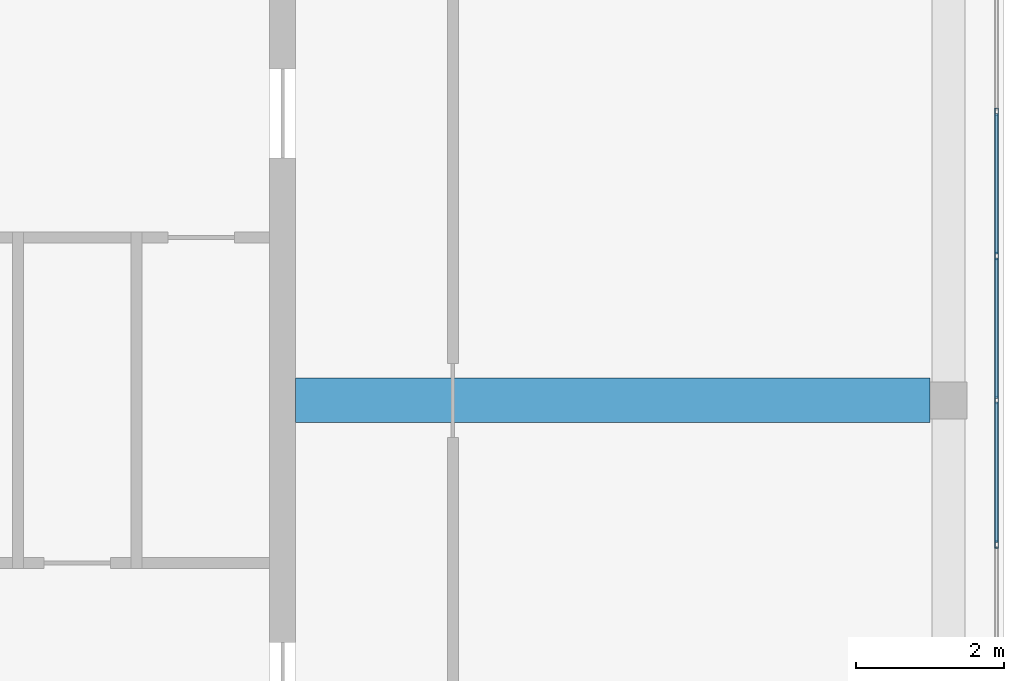
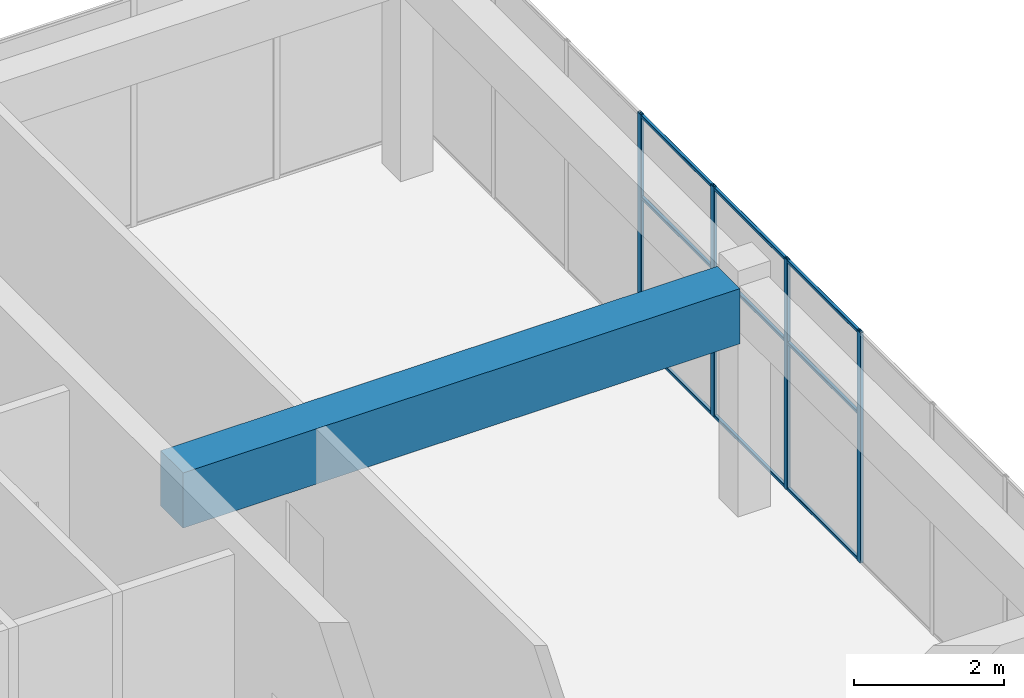
# One storey, part 17 of 34: 13 members, 1 beam, 1 element without a shape of its own.
"""IFC4 building model written with IfcOpenShell, lengths in metres."""

import ifcopenshell
import ifcopenshell.guid

model = None  # the IFC model being written
_history = None  # IfcOwnerHistory: only IFC2X3 demands one
_inside = {}  # id of a spatial element -> (the spatial element, [elements in it])
_under = {}  # id of a project, library or spatial element -> (it, [spatial elements below it])
_declared = {}  # id of a project -> (the project, [libraries it declares])
_typed = {}  # id of a type object -> (the type object, [elements of that type])
_made_of = {}  # id of a material, layer set ... -> (it, [elements and type objects made of it])


def new_model(schema):
    """Start an empty IFC model of exactly this schema.

    Asked for "IFC4X3", IfcOpenShell would pick the latest addendum, in which some entities
    have other attributes; the version numbers below select the first issue.
    IFC2X3 requires an IfcOwnerHistory on every rooted entity: one is made here for all.
    """
    global model, _history
    if schema == "IFC4X3":
        model = ifcopenshell.file(schema_version=(4, 3, 0, 0))
    else:
        model = ifcopenshell.file(schema=schema)
    _inside.clear()
    _under.clear()
    _declared.clear()
    _typed.clear()
    _made_of.clear()
    _history = None
    if model.schema == "IFC2X3":
        org = make("IfcOrganization", Name="unknown")
        user = make(
            "IfcPersonAndOrganization",
            ThePerson=make("IfcPerson", FamilyName="unknown"),
            TheOrganization=org,
        )
        app = make(
            "IfcApplication",
            ApplicationDeveloper=org,
            Version="unknown",
            ApplicationFullName="unknown",
            ApplicationIdentifier="unknown",
        )
        _history = make(
            "IfcOwnerHistory",
            OwningUser=user,
            OwningApplication=app,
            ChangeAction="ADDED",
            CreationDate=0,
        )
    return model


def make(cls, **values):
    """One entity of the class cls with the attributes given. An attribute that is None is left unset."""
    return model.create_entity(
        cls, **{name: value for name, value in values.items() if value is not None}
    )


def rooted(cls, **values):
    """An entity with a GlobalId (a new one), such as an element, a storey or a relation."""
    return make(cls, GlobalId=ifcopenshell.guid.new(), OwnerHistory=_history, **values)


def si_unit(unit_type, name, prefix=None):
    """IfcSIUnit, for example si_unit("LENGTHUNIT", "METRE", prefix="MILLI")."""
    return make("IfcSIUnit", UnitType=unit_type, Prefix=prefix, Name=name)


def assignment(units):
    """IfcUnitAssignment: the units of a project."""
    return None if units is None else make("IfcUnitAssignment", Units=units)


def point(xyz):
    """IfcCartesianPoint."""
    return None if xyz is None else make("IfcCartesianPoint", Coordinates=xyz)


def direction(xyz):
    """IfcDirection."""
    return None if xyz is None else make("IfcDirection", DirectionRatios=xyz)


def frame(location, z_axis=None, x_axis=None):
    """IfcAxis2Placement3D, a coordinate frame: its origin and axes. An axis left out is left unset."""
    return make(
        "IfcAxis2Placement3D",
        Location=point(location),
        Axis=direction(z_axis),
        RefDirection=direction(x_axis),
    )


def frame_2d(location, x_axis=None):
    """IfcAxis2Placement2D, a coordinate frame in the plane: its origin and x axis."""
    return make(
        "IfcAxis2Placement2D", Location=point(location), RefDirection=direction(x_axis)
    )


def origin():
    """The frame at (0, 0, 0) with its axes left unset."""
    return frame((0.0, 0.0, 0.0))


def origin_2d():
    """The frame at (0, 0) in the plane with its x axis left unset."""
    return frame_2d((0.0, 0.0))


def place(relative_to, where):
    """IfcLocalPlacement: puts the frame where relative to a parent placement (None: the world)."""
    return make(
        "IfcLocalPlacement", PlacementRelTo=relative_to, RelativePlacement=where
    )


def context(
    kind, dimensions, precision=None, world=None, true_north=None, identifier=None
):
    """IfcGeometricRepresentationContext, for example the 3D "Model" context."""
    return make(
        "IfcGeometricRepresentationContext",
        ContextIdentifier=identifier,
        ContextType=kind,
        CoordinateSpaceDimension=dimensions,
        Precision=precision,
        WorldCoordinateSystem=world,
        TrueNorth=true_north,
    )


def subcontext(parent, identifier, kind, view, scale=None):
    """IfcGeometricRepresentationSubContext, for example "Body" below "Model"."""
    return make(
        "IfcGeometricRepresentationSubContext",
        ContextIdentifier=identifier,
        ContextType=kind,
        ParentContext=parent,
        TargetScale=scale,
        TargetView=view,
    )


def project(units=None, contexts=None):
    """IfcProject with its units and contexts."""
    return rooted(
        "IfcProject",
        Name="project",
        RepresentationContexts=contexts,
        UnitsInContext=assignment(units),
    )


def spatial(cls, under=None, at=None, **own):
    """A site, building, storey or space (cls), placed at a placement, below another one or the project."""
    s = rooted(cls, ObjectPlacement=at, **own)
    if under is not None:
        _under.setdefault(under.id(), (under, []))[1].append(s)
    return s


def profile(cls, at=None, kind="AREA", **sizes):
    """A parametric profile (cls). Its sizes go by their IFC names, for example OverallWidth=200.0."""
    return make(cls, ProfileType=kind, Position=at, **sizes)


def rectangle(**sizes):
    """IfcRectangleProfileDef."""
    return profile("IfcRectangleProfileDef", **sizes)


def hollow_rectangle(**sizes):
    """IfcRectangleHollowProfileDef."""
    return profile("IfcRectangleHollowProfileDef", **sizes)


def extrude(swept, where, along, depth):
    """IfcExtrudedAreaSolid: the profile swept, set in the frame where, extruded along a direction by depth."""
    return make(
        "IfcExtrudedAreaSolid",
        SweptArea=swept,
        Position=where,
        ExtrudedDirection=direction(along),
        Depth=depth,
    )


def shape(context_of_items, identifier, shape_type, items):
    """IfcShapeRepresentation: the items that make up one representation, for example the "Body"."""
    return make(
        "IfcShapeRepresentation",
        ContextOfItems=context_of_items,
        RepresentationIdentifier=identifier,
        RepresentationType=shape_type,
        Items=items,
    )


def material(Name=None, Category=None):
    """IfcMaterial."""
    return make("IfcMaterial", Name=Name, Category=Category)


def layer(
    of_material, thickness, ventilated=None, Name=None, Category=None, Priority=None
):
    """IfcMaterialLayer: one layer of a wall or slab, of a material (None: an air gap)."""
    return make(
        "IfcMaterialLayer",
        Material=of_material,
        LayerThickness=thickness,
        IsVentilated=ventilated,
        Name=Name,
        Category=Category,
        Priority=Priority,
    )


def layer_set(layers, Name=None):
    """IfcMaterialLayerSet."""
    return make("IfcMaterialLayerSet", MaterialLayers=layers, LayerSetName=Name)


def material_profile(
    of_material, cross_section, Name=None, Category=None, Priority=None
):
    """IfcMaterialProfile: a cross section and its material."""
    return make(
        "IfcMaterialProfile",
        Name=Name,
        Material=of_material,
        Profile=cross_section,
        Priority=Priority,
        Category=Category,
    )


def profile_set(profiles, Name=None, composite=None):
    """IfcMaterialProfileSet."""
    return make(
        "IfcMaterialProfileSet",
        Name=Name,
        MaterialProfiles=profiles,
        CompositeProfile=composite,
    )


def made_of(thing, what):
    """Note that an element or type object is made of a material, layer set ...; save() writes the relation."""
    if what is not None:
        _made_of.setdefault(what.id(), (what, []))[1].append(thing)
    return thing


def type_object(cls, material=None, **own):
    """A type object (cls), such as IfcWallType, which elements share."""
    return made_of(rooted(cls, **own), material)


def element(
    cls,
    number,
    at=None,
    inside=None,
    cuts=None,
    type_object=None,
    material=None,
    context=None,
    identifier="Body",
    shape_type=None,
    held_by="IfcProductDefinitionShape",
    body=None,
    shapes=None,
    **own,
):
    """One element of the class cls, such as IfcWall. Its Tag is "e" and its number.

    at: its placement. inside: the storey or other place that contains it. cuts: it is an
    opening in that element (IfcRelVoidsElement). A single representation is given by context,
    identifier, shape_type and body (its items); several are given by shapes. held_by: the class
    of the entity that holds the representations. save() writes the other relations.
    """
    e = rooted(cls, Tag="e%d" % number, ObjectPlacement=at, **own)
    if body is not None:
        shapes = [shape(context, identifier, shape_type, body)]
    if shapes is not None:
        e.Representation = make(held_by, Representations=shapes)
    if inside is not None:
        _inside.setdefault(inside.id(), (inside, []))[1].append(e)
    if cuts is not None:
        rooted(
            "IfcRelVoidsElement", RelatingBuildingElement=cuts, RelatedOpeningElement=e
        )
    if type_object is not None:
        _typed.setdefault(type_object.id(), (type_object, []))[1].append(e)
    return made_of(e, material)


def aggregate(whole, parts):
    """IfcRelAggregates: a whole, such as a stair, and the parts it consists of."""
    return rooted("IfcRelAggregates", RelatingObject=whole, RelatedObjects=parts)


def save(model, path):
    """Write the relations noted so far, then the file.

    IfcRelAggregates (storeys below a building ...), IfcRelContainedInSpatialStructure (elements
    in a storey), IfcRelDefinesByType, IfcRelAssociatesMaterial and IfcRelDeclares: one each for
    every whole, place, type object, material and project.
    """
    for whole, parts in _under.values():
        aggregate(whole, parts)
    for where, things in _inside.values():
        rooted(
            "IfcRelContainedInSpatialStructure",
            RelatedElements=things,
            RelatingStructure=where,
        )
    for kind, things in _typed.values():
        rooted("IfcRelDefinesByType", RelatedObjects=things, RelatingType=kind)
    for what, things in _made_of.values():
        rooted("IfcRelAssociatesMaterial", RelatedObjects=things, RelatingMaterial=what)
    for by, libraries in _declared.values():
        rooted("IfcRelDeclares", RelatingContext=by, RelatedDefinitions=libraries)
    model.write(path)


model = new_model("IFC4")

# Units and contexts
model_context = context("Model", 3, precision=1e-05, world=origin(), true_north=direction((0.0, 1.0)))
body_context = subcontext(model_context, "Body", "Model", "MODEL_VIEW")
ifc_project = project(units=[si_unit("LENGTHUNIT", "METRE"), si_unit("AREAUNIT", "SQUARE_METRE"), si_unit("VOLUMEUNIT", "CUBIC_METRE"), si_unit("PLANEANGLEUNIT", "RADIAN"), si_unit("MASSUNIT", "GRAM", prefix="KILO")], contexts=[model_context])

# Site, building, storey
site_placement = place(None, origin())
site = spatial("IfcSite", under=ifc_project, at=site_placement, CompositionType="ELEMENT")
building_placement = place(site_placement, origin())
building = spatial("IfcBuilding", under=site, at=building_placement, Name="Tuart Plaza Theatre", CompositionType="ELEMENT")
storey_placement = place(building_placement, frame((0.0, 0.0, 57.5)))
storey = spatial("IfcBuildingStorey", under=building, at=storey_placement, Name="L14", CompositionType="ELEMENT", Elevation=57.5)

# Beam
ifc_material_1 = material(Name="Concrete N40 (40 MPa)", Category="concrete")
ifc_material_profile_1 = material_profile(ifc_material_1, rectangle(XDim=0.60009765625, YDim=0.89990234375, at=origin_2d()), Name="BEAM 600x900 Concrete N40 (40 MPa)")
ifc_profile_set_1 = profile_set([ifc_material_profile_1], Name="Concrete N40 (40 MPa)")
beam_type = type_object("IfcBeamType", Name="BEAM 600x900 Concrete N40 (40 MPa)", PredefinedType="BEAM", material=ifc_profile_set_1)
beam_placement = place(storey_placement, frame((141.175048828125, 74.0, 3.300048828125), z_axis=(1.0, 0.0, 0.0), x_axis=(0.0, 1.0, 0.0)))
element("IfcBeam", 1, at=beam_placement, inside=storey, type_object=beam_type, Name="RB343", PredefinedType="BEAM", context=body_context, shape_type="SweptSolid", body=[
    extrude(rectangle(XDim=0.60009765625, YDim=0.89990234375, at=origin_2d()), origin(), (0.0, 0.0, 1.0), 8.574951171875),
])

# Curtain wall, members
ifc_material_2 = material(Name="Aluminium and glass", Category="aluminium")
ifc_layer = layer(ifc_material_2, 0.10009765625)
ifc_layer_set = layer_set([ifc_layer], Name="CURTAIN WALL 2000 module")
curtain_wall_type = type_object("IfcCurtainWallType", Name="CURTAIN WALL 2000 module", PredefinedType="NOTDEFINED", material=ifc_layer_set)
curtain_wall_placement = place(storey_placement, origin())
curtain_wall = element("IfcCurtainWall", 2, at=curtain_wall_placement, inside=storey, type_object=curtain_wall_type, Name="CW114", PredefinedType="NOTDEFINED")
ifc_material_3 = material(Name="Aluminium 6063-T5", Category="aluminium")
ifc_material_profile_2 = material_profile(ifc_material_3, hollow_rectangle(XDim=0.050048828125, YDim=0.10009765625, WallThickness=0.00390625, InnerFilletRadius=0.00390625, OuterFilletRadius=0.008056640625, at=origin_2d()), Name="RHS 100x50x4")
ifc_profile_set_2 = profile_set([ifc_material_profile_2], Name="Aluminium 6063-T5")
member_type_1 = type_object("IfcMemberType", Name="MULLION RHS 100x50x4", PredefinedType="MULLION", material=ifc_profile_set_2)
member_1_placement = place(storey_placement, frame((150.64990234375, 72.050048828125, 0.0), z_axis=(0.0, 0.0, 1.0), x_axis=(-1.0, 0.0, 0.0)))
member_1 = element("IfcMember", 3, at=member_1_placement, type_object=member_type_1, Name="CW114 mullion 5", PredefinedType="MULLION", context=body_context, shape_type="SweptSolid", body=[
    extrude(hollow_rectangle(XDim=0.050048828125, YDim=0.10009765625, WallThickness=0.00390625, InnerFilletRadius=0.00390625, OuterFilletRadius=0.008056640625, at=origin_2d()), origin(), (0.0, 0.0, 1.0), 3.75),
])
member_2_placement = place(storey_placement, frame((150.64990234375, 74.0, 0.0), z_axis=(0.0, 0.0, 1.0), x_axis=(-1.0, 0.0, 0.0)))
member_2 = element("IfcMember", 4, at=member_2_placement, type_object=member_type_1, Name="CW114 mullion 6", PredefinedType="MULLION", context=body_context, shape_type="SweptSolid", body=[
    extrude(hollow_rectangle(XDim=0.050048828125, YDim=0.10009765625, WallThickness=0.00390625, InnerFilletRadius=0.00390625, OuterFilletRadius=0.008056640625, at=origin_2d()), origin(), (0.0, 0.0, 1.0), 3.75),
])
member_3_placement = place(storey_placement, frame((150.64990234375, 75.949951171875, 0.0), z_axis=(0.0, 0.0, 1.0), x_axis=(-1.0, 0.0, 0.0)))
member_3 = element("IfcMember", 5, at=member_3_placement, type_object=member_type_1, Name="CW114 mullion 7", PredefinedType="MULLION", context=body_context, shape_type="SweptSolid", body=[
    extrude(hollow_rectangle(XDim=0.050048828125, YDim=0.10009765625, WallThickness=0.00390625, InnerFilletRadius=0.00390625, OuterFilletRadius=0.008056640625, at=origin_2d()), origin(), (0.0, 0.0, 1.0), 3.75),
])
member_4_placement = place(storey_placement, frame((150.64990234375, 77.89990234375, 0.0), z_axis=(0.0, 0.0, 1.0), x_axis=(-1.0, 0.0, 0.0)))
member_4 = element("IfcMember", 6, at=member_4_placement, type_object=member_type_1, Name="CW114 mullion 8", PredefinedType="MULLION", context=body_context, shape_type="SweptSolid", body=[
    extrude(hollow_rectangle(XDim=0.050048828125, YDim=0.10009765625, WallThickness=0.00390625, InnerFilletRadius=0.00390625, OuterFilletRadius=0.008056640625, at=origin_2d()), origin(), (0.0, 0.0, 1.0), 3.75),
])
ifc_material_4 = material(Name="Aluminium 6063-T5", Category="aluminium")
ifc_material_profile_3 = material_profile(ifc_material_4, hollow_rectangle(XDim=0.050048828125, YDim=0.050048828125, WallThickness=0.00390625, InnerFilletRadius=0.00390625, OuterFilletRadius=0.008056640625, at=origin_2d()), Name="RHS 50x50x4")
ifc_profile_set_3 = profile_set([ifc_material_profile_3], Name="Aluminium 6063-T5")
member_type_2 = type_object("IfcMemberType", Name="TRANSOM RHS 50x50x4", PredefinedType="USERDEFINED", material=ifc_profile_set_3)
member_5_placement = place(storey_placement, frame((150.64990234375, 72.074951171875, 0.02490234375), z_axis=(0.0, 1.0, 0.0), x_axis=(-1.0, 0.0, 0.0)))
member_5 = element("IfcMember", 7, at=member_5_placement, type_object=member_type_2, Name="CW114 transom 5.1", ObjectType="TRANSOM", PredefinedType="USERDEFINED", context=body_context, shape_type="SweptSolid", body=[
    extrude(hollow_rectangle(XDim=0.050048828125, YDim=0.050048828125, WallThickness=0.00390625, InnerFilletRadius=0.00390625, OuterFilletRadius=0.008056640625, at=origin_2d()), origin(), (0.0, 0.0, 1.0), 1.900146484375),
])
member_6_placement = place(storey_placement, frame((150.64990234375, 72.074951171875, 2.39990234375), z_axis=(0.0, 1.0, 0.0), x_axis=(-1.0, 0.0, 0.0)))
member_6 = element("IfcMember", 8, at=member_6_placement, type_object=member_type_2, Name="CW114 transom 5.2", ObjectType="TRANSOM", PredefinedType="USERDEFINED", context=body_context, shape_type="SweptSolid", body=[
    extrude(hollow_rectangle(XDim=0.050048828125, YDim=0.050048828125, WallThickness=0.00390625, InnerFilletRadius=0.00390625, OuterFilletRadius=0.008056640625, at=origin_2d()), origin(), (0.0, 0.0, 1.0), 1.900146484375),
])
member_7_placement = place(storey_placement, frame((150.64990234375, 72.074951171875, 3.72509765625), z_axis=(0.0, 1.0, 0.0), x_axis=(-1.0, 0.0, 0.0)))
member_7 = element("IfcMember", 9, at=member_7_placement, type_object=member_type_2, Name="CW114 transom 5.3", ObjectType="TRANSOM", PredefinedType="USERDEFINED", context=body_context, shape_type="SweptSolid", body=[
    extrude(hollow_rectangle(XDim=0.050048828125, YDim=0.050048828125, WallThickness=0.00390625, InnerFilletRadius=0.00390625, OuterFilletRadius=0.008056640625, at=origin_2d()), origin(), (0.0, 0.0, 1.0), 1.900146484375),
])
member_8_placement = place(storey_placement, frame((150.64990234375, 74.02490234375, 0.02490234375), z_axis=(0.0, 1.0, 0.0), x_axis=(-1.0, 0.0, 0.0)))
member_8 = element("IfcMember", 10, at=member_8_placement, type_object=member_type_2, Name="CW114 transom 6.1", ObjectType="TRANSOM", PredefinedType="USERDEFINED", context=body_context, shape_type="SweptSolid", body=[
    extrude(hollow_rectangle(XDim=0.050048828125, YDim=0.050048828125, WallThickness=0.00390625, InnerFilletRadius=0.00390625, OuterFilletRadius=0.008056640625, at=origin_2d()), origin(), (0.0, 0.0, 1.0), 1.900146484375),
])
member_9_placement = place(storey_placement, frame((150.64990234375, 74.02490234375, 2.39990234375), z_axis=(0.0, 1.0, 0.0), x_axis=(-1.0, 0.0, 0.0)))
member_9 = element("IfcMember", 11, at=member_9_placement, type_object=member_type_2, Name="CW114 transom 6.2", ObjectType="TRANSOM", PredefinedType="USERDEFINED", context=body_context, shape_type="SweptSolid", body=[
    extrude(hollow_rectangle(XDim=0.050048828125, YDim=0.050048828125, WallThickness=0.00390625, InnerFilletRadius=0.00390625, OuterFilletRadius=0.008056640625, at=origin_2d()), origin(), (0.0, 0.0, 1.0), 1.900146484375),
])
member_10_placement = place(storey_placement, frame((150.64990234375, 74.02490234375, 3.72509765625), z_axis=(0.0, 1.0, 0.0), x_axis=(-1.0, 0.0, 0.0)))
member_10 = element("IfcMember", 12, at=member_10_placement, type_object=member_type_2, Name="CW114 transom 6.3", ObjectType="TRANSOM", PredefinedType="USERDEFINED", context=body_context, shape_type="SweptSolid", body=[
    extrude(hollow_rectangle(XDim=0.050048828125, YDim=0.050048828125, WallThickness=0.00390625, InnerFilletRadius=0.00390625, OuterFilletRadius=0.008056640625, at=origin_2d()), origin(), (0.0, 0.0, 1.0), 1.900146484375),
])
member_11_placement = place(storey_placement, frame((150.64990234375, 75.97509765625, 0.02490234375), z_axis=(0.0, 1.0, 0.0), x_axis=(-1.0, 0.0, 0.0)))
member_11 = element("IfcMember", 13, at=member_11_placement, type_object=member_type_2, Name="CW114 transom 7.1", ObjectType="TRANSOM", PredefinedType="USERDEFINED", context=body_context, shape_type="SweptSolid", body=[
    extrude(hollow_rectangle(XDim=0.050048828125, YDim=0.050048828125, WallThickness=0.00390625, InnerFilletRadius=0.00390625, OuterFilletRadius=0.008056640625, at=origin_2d()), origin(), (0.0, 0.0, 1.0), 1.89990234375),
])
member_12_placement = place(storey_placement, frame((150.64990234375, 75.97509765625, 2.39990234375), z_axis=(0.0, 1.0, 0.0), x_axis=(-1.0, 0.0, 0.0)))
member_12 = element("IfcMember", 14, at=member_12_placement, type_object=member_type_2, Name="CW114 transom 7.2", ObjectType="TRANSOM", PredefinedType="USERDEFINED", context=body_context, shape_type="SweptSolid", body=[
    extrude(hollow_rectangle(XDim=0.050048828125, YDim=0.050048828125, WallThickness=0.00390625, InnerFilletRadius=0.00390625, OuterFilletRadius=0.008056640625, at=origin_2d()), origin(), (0.0, 0.0, 1.0), 1.89990234375),
])
member_13_placement = place(storey_placement, frame((150.64990234375, 75.97509765625, 3.72509765625), z_axis=(0.0, 1.0, 0.0), x_axis=(-1.0, 0.0, 0.0)))
member_13 = element("IfcMember", 15, at=member_13_placement, type_object=member_type_2, Name="CW114 transom 7.3", ObjectType="TRANSOM", PredefinedType="USERDEFINED", context=body_context, shape_type="SweptSolid", body=[
    extrude(hollow_rectangle(XDim=0.050048828125, YDim=0.050048828125, WallThickness=0.00390625, InnerFilletRadius=0.00390625, OuterFilletRadius=0.008056640625, at=origin_2d()), origin(), (0.0, 0.0, 1.0), 1.89990234375),
])
aggregate(curtain_wall, [member_1, member_2, member_3, member_4, member_5, member_6, member_7, member_8, member_9, member_10, member_11, member_12, member_13])

save(model, "model.ifc")
